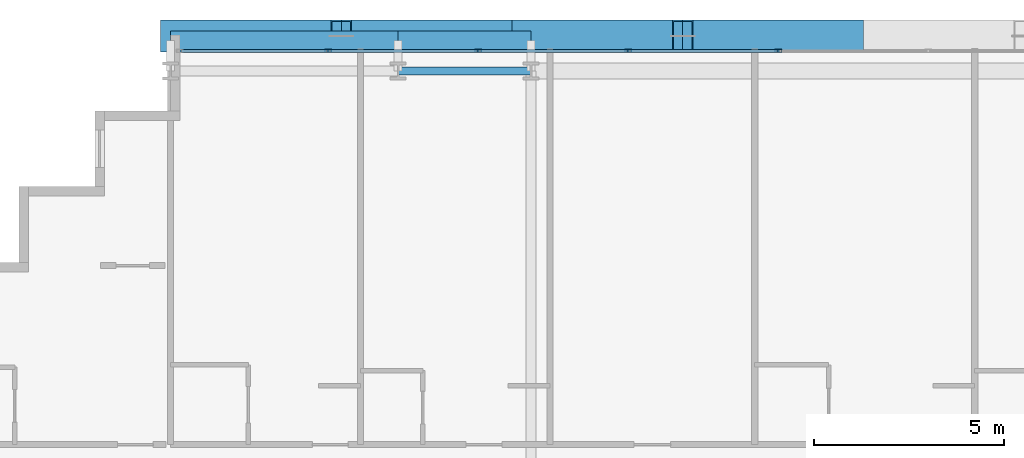
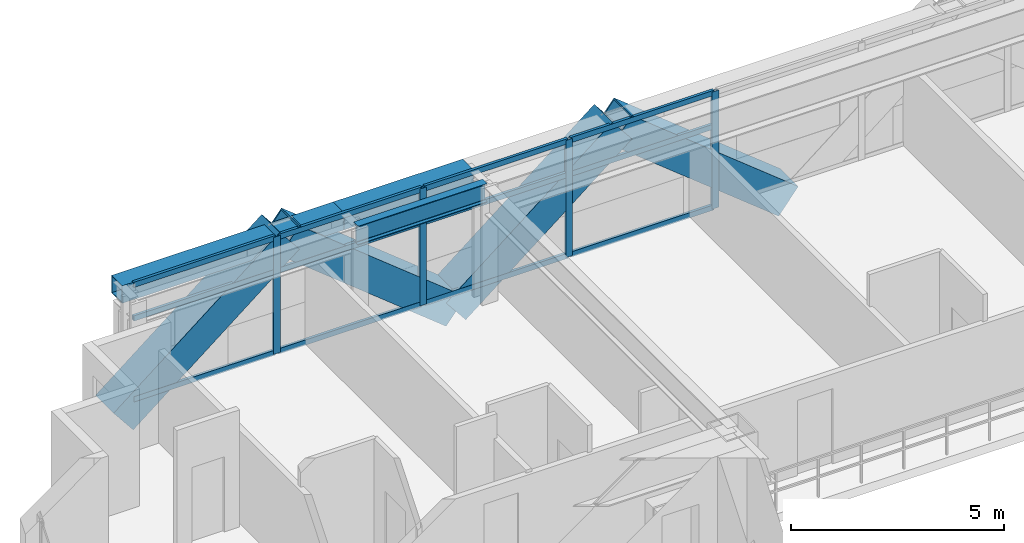
# One storey, part 18 of 35: 20 members, 3 beams, 1 element without a shape of its own.
"""IFC4 building model written with IfcOpenShell, lengths in metres."""

from ifc_helpers import new_model, si_unit, direction, frame, origin, origin_2d, place, context, subcontext, project, spatial, hollow_rectangle, i_section, extrude, source, transform, mapped, material, layer, layer_set, material_profile, profile_set, type_object, element, aggregate, save


model = new_model("IFC4")

# Units and contexts
model_context = context("Model", 3, precision=1e-05, world=origin(), true_north=direction((0.0, 1.0)))
body_context = subcontext(model_context, "Body", "Model", "MODEL_VIEW")
ifc_project = project(units=[si_unit("LENGTHUNIT", "METRE"), si_unit("AREAUNIT", "SQUARE_METRE"), si_unit("VOLUMEUNIT", "CUBIC_METRE"), si_unit("PLANEANGLEUNIT", "RADIAN"), si_unit("MASSUNIT", "GRAM", prefix="KILO")], contexts=[model_context])

# Site, building, storey
site_placement = place(None, origin())
site = spatial("IfcSite", under=ifc_project, at=site_placement, CompositionType="ELEMENT")
building_placement = place(site_placement, origin())
building = spatial("IfcBuilding", under=site, at=building_placement, Name="Ocotamira Hotel", CompositionType="ELEMENT")
storey_placement = place(building_placement, frame((0.0, 0.0, 70.800048828125)))
storey = spatial("IfcBuildingStorey", under=building, at=storey_placement, Name="L17", CompositionType="ELEMENT", Elevation=70.800048828125)

# Beams
ifc_material_1 = material(Name="Steel ASTM A992 Grade 50", Category="steel")
ifc_material_profile_1 = material_profile(ifc_material_1, i_section(OverallWidth=0.2099609375, OverallDepth=0.537109375, WebThickness=0.010986328125, FlangeThickness=0.017333984375, FilletRadius=0.012939453125, at=origin_2d()), Name="W21X68")
ifc_profile_set_1 = profile_set([ifc_material_profile_1], Name="Steel ASTM A992 Grade 50")
beam_type_1 = type_object("IfcBeamType", Name="BM-SEC-W21X68", PredefinedType="JOIST", material=ifc_profile_set_1)
shared_shape_1 = source(origin(), body_context, "Body", "SweptSolid", [
    extrude(i_section(OverallWidth=0.2099609375, OverallDepth=0.537109375, WebThickness=0.010986328125, FlangeThickness=0.017333984375, FilletRadius=0.012939453125, at=origin_2d()), origin(), (0.0, 0.0, 1.0), 3.5),
])
beam_1_placement = place(storey_placement, frame((20.0, 49.050048828125, 3.08154296875), z_axis=(1.0, 0.0, 0.0), x_axis=(0.0, 1.0, 0.0)))
element("IfcBeam", 1, at=beam_1_placement, inside=storey, type_object=beam_type_1, Name="L17 Girder Y49.05 X20-23.5", PredefinedType="JOIST", context=body_context, shape_type="MappedRepresentation", body=[
    mapped(shared_shape_1, transform((0.0, 0.0, 0.0), scale=1.0)),
])
ifc_material_2 = material(Name="Steel ASTM A500 Grade C", Category="steel")
ifc_material_profile_2 = material_profile(ifc_material_2, hollow_rectangle(XDim=0.5, YDim=0.5, WallThickness=0.02001953125, at=origin_2d()), Name="HSS500X500X20")
ifc_profile_set_2 = profile_set([ifc_material_profile_2], Name="Steel ASTM A500 Grade C")
beam_type_2 = type_object("IfcBeamType", Name="BM-SPAN-HSS500", PredefinedType="USERDEFINED", material=ifc_profile_set_2)
shared_shape_2 = source(origin(), body_context, "Body", "SweptSolid", [
    extrude(hollow_rectangle(XDim=0.5, YDim=0.5, WallThickness=0.02001953125, at=origin_2d()), origin(), (0.0, 0.0, 1.0), 6.0),
])
beam_2_placement = place(storey_placement, frame((14.0, 49.85009765625, 3.099853515625), z_axis=(1.0, 0.0, 0.0), x_axis=(0.0, 1.0, 0.0)))
element("IfcBeam", 2, at=beam_2_placement, inside=storey, type_object=beam_type_2, Name="L17 Edge Spandrel N X14-20", ObjectType="SPANDREL", PredefinedType="USERDEFINED", context=body_context, shape_type="MappedRepresentation", body=[
    mapped(shared_shape_2, transform((0.0, 0.0, 0.0), scale=1.0)),
])
shared_shape_3 = source(origin(), body_context, "Body", "SweptSolid", [
    extrude(hollow_rectangle(XDim=0.5, YDim=0.5, WallThickness=0.02001953125, at=origin_2d()), origin(), (0.0, 0.0, 1.0), 3.5),
])
beam_3_placement = place(storey_placement, frame((20.0, 49.85009765625, 3.099853515625), z_axis=(1.0, 0.0, 0.0), x_axis=(0.0, 1.0, 0.0)))
element("IfcBeam", 3, at=beam_3_placement, inside=storey, type_object=beam_type_2, Name="L17 Edge Spandrel N X20-23.5", ObjectType="SPANDREL", PredefinedType="USERDEFINED", context=body_context, shape_type="MappedRepresentation", body=[
    mapped(shared_shape_3, transform((0.0, 0.0, 0.0), scale=1.0)),
])

# Members
ifc_material_3 = material(Name="Pale-metal coated steel ASTM A913 Grade 65", Category="steel")
ifc_material_profile_3 = material_profile(ifc_material_3, hollow_rectangle(XDim=0.85009765625, YDim=0.85009765625, WallThickness=0.035888671875, at=origin_2d()), Name="BOX850X850X36")
ifc_profile_set_3 = profile_set([ifc_material_profile_3], Name="Pale-metal coated steel ASTM A913 Grade 65")
member_type_1 = type_object("IfcMemberType", Name="MEM-EXO-BOX850", PredefinedType="BRACE", material=ifc_profile_set_3)
shared_shape_4 = source(origin(), body_context, "Body", "SweptSolid", [
    extrude(hollow_rectangle(XDim=0.85009765625, YDim=0.85009765625, WallThickness=0.035888671875, at=origin_2d()), origin(), (0.0, 0.0, 1.0), 5.7626953125),
])
for number, where, z_axis, x_axis, name in (
    (4, (14.0, 49.969970703125, -0.5), (0.780881208953, 0.0, 0.624679547852), (0.0, 1.0, 0.0), "L17 Exoskeleton Diagrid N0.1"),
    (5, (23.0, 49.969970703125, -0.5), (-0.780881208953, 0.0, 0.624679547852), (0.0, -1.0, 0.0), "L17 Exoskeleton Diagrid N0.2"),
    (6, (23.0, 49.969970703125, -0.5), (0.780881208953, 0.0, 0.624679547852), (0.0, 1.0, 0.0), "L17 Exoskeleton Diagrid N1.1"),
    (7, (32.0, 49.969970703125, -0.5), (-0.780881208953, 0.0, 0.624679547852), (0.0, -1.0, 0.0), "L17 Exoskeleton Diagrid N1.2"),
):
    element("IfcMember", number, at=place(storey_placement, frame(where, z_axis=z_axis, x_axis=x_axis)), inside=storey, type_object=member_type_1, Name=name, PredefinedType="BRACE", context=body_context, shape_type="MappedRepresentation", body=[
        mapped(shared_shape_4, transform((0.0, 0.0, 0.0), scale=1.0)),
    ])

# Curtain wall, members
ifc_material_4 = material(Name="Anodised pale-metal aluminium and solar glass", Category="aluminium")
ifc_layer = layer(ifc_material_4, 0.179931640625)
ifc_layer_set = layer_set([ifc_layer], Name="Anodised pale-metal aluminium and solar glass")
curtain_wall_type = type_object("IfcCurtainWallType", Name="CW-SYS2-Z1", PredefinedType="NOTDEFINED", material=ifc_layer_set)
curtain_wall_placement = place(storey_placement, origin())
curtain_wall = element("IfcCurtainWall", 8, at=curtain_wall_placement, inside=storey, type_object=curtain_wall_type, Name="L17 Curtain Wall CW-2 CW-L17-N", PredefinedType="NOTDEFINED")
ifc_material_5 = material(Name="Anodised pale-metal aluminium 6063-T6", Category="aluminium")
ifc_material_profile_4 = material_profile(ifc_material_5, hollow_rectangle(XDim=0.080078125, YDim=0.179931640625, WallThickness=0.006103515625, at=origin_2d()), Name="HSS180X80X6")
ifc_profile_set_4 = profile_set([ifc_material_profile_4], Name="Anodised pale-metal aluminium 6063-T6")
member_type_2 = type_object("IfcMemberType", Name="CWM-180X75", PredefinedType="MULLION", material=ifc_profile_set_4)
shared_shape_5 = source(origin(), body_context, "Body", "SweptSolid", [
    extrude(hollow_rectangle(XDim=0.080078125, YDim=0.179931640625, WallThickness=0.006103515625, at=origin_2d()), origin(), (0.0, 0.0, 1.0), 3.349853515625),
])
member_1_placement = place(storey_placement, frame((18.155517578125, 49.580078125, 0.0), z_axis=(0.0, 0.0, 1.0), x_axis=(0.0, 1.0, 0.0)))
member_1 = element("IfcMember", 9, at=member_1_placement, type_object=member_type_2, Name="CW-2 mullion 2", PredefinedType="MULLION", context=body_context, shape_type="MappedRepresentation", body=[
    mapped(shared_shape_5, transform((0.0, 0.0, 0.0), scale=1.0)),
])
member_2_placement = place(storey_placement, frame((22.111083984375, 49.580078125, 0.0), z_axis=(0.0, 0.0, 1.0), x_axis=(0.0, 1.0, 0.0)))
member_2 = element("IfcMember", 10, at=member_2_placement, type_object=member_type_2, Name="CW-2 mullion 3", PredefinedType="MULLION", context=body_context, shape_type="MappedRepresentation", body=[
    mapped(shared_shape_5, transform((0.0, 0.0, 0.0), scale=1.0)),
])
member_3_placement = place(storey_placement, frame((26.066650390625, 49.580078125, 0.0), z_axis=(0.0, 0.0, 1.0), x_axis=(0.0, 1.0, 0.0)))
member_3 = element("IfcMember", 11, at=member_3_placement, type_object=member_type_2, Name="CW-2 mullion 4", PredefinedType="MULLION", context=body_context, shape_type="MappedRepresentation", body=[
    mapped(shared_shape_5, transform((0.0, 0.0, 0.0), scale=1.0)),
])
member_4_placement = place(storey_placement, frame((30.022216796875, 49.580078125, 0.0), z_axis=(0.0, 0.0, 1.0), x_axis=(0.0, 1.0, 0.0)))
member_4 = element("IfcMember", 12, at=member_4_placement, type_object=member_type_2, Name="CW-2 mullion 5", PredefinedType="MULLION", context=body_context, shape_type="MappedRepresentation", body=[
    mapped(shared_shape_5, transform((0.0, 0.0, 0.0), scale=1.0)),
])
ifc_material_profile_5 = material_profile(ifc_material_5, hollow_rectangle(XDim=0.074951171875, YDim=0.14990234375, WallThickness=0.006103515625, at=origin_2d()), Name="HSS150X75X6")
ifc_profile_set_5 = profile_set([ifc_material_profile_5], Name="Anodised pale-metal aluminium 6063-T6")
member_type_3 = type_object("IfcMemberType", Name="CWT-150X75", PredefinedType="USERDEFINED", material=ifc_profile_set_5)
shared_shape_6 = source(origin(), body_context, "Body", "SweptSolid", [
    extrude(hollow_rectangle(XDim=0.074951171875, YDim=0.14990234375, WallThickness=0.006103515625, at=origin_2d()), origin(), (0.0, 0.0, 1.0), 3.83544921875),
])
member_5_placement = place(storey_placement, frame((14.280029296875, 49.580078125, 0.037353515625), z_axis=(1.0, 0.0, 0.0), x_axis=(0.0, 1.0, 0.0)))
member_5 = element("IfcMember", 13, at=member_5_placement, type_object=member_type_3, Name="CW-2 transom 1.1", ObjectType="TRANSOM", PredefinedType="USERDEFINED", context=body_context, shape_type="MappedRepresentation", body=[
    mapped(shared_shape_6, transform((0.0, 0.0, 0.0), scale=1.0)),
])
member_6_placement = place(storey_placement, frame((14.280029296875, 49.580078125, 2.349853515625), z_axis=(1.0, 0.0, 0.0), x_axis=(0.0, 1.0, 0.0)))
member_6 = element("IfcMember", 14, at=member_6_placement, type_object=member_type_3, Name="CW-2 transom 1.2", ObjectType="TRANSOM", PredefinedType="USERDEFINED", context=body_context, shape_type="MappedRepresentation", body=[
    mapped(shared_shape_6, transform((0.0, 0.0, 0.0), scale=1.0)),
])
member_7_placement = place(storey_placement, frame((14.280029296875, 49.580078125, 3.3125), z_axis=(1.0, 0.0, 0.0), x_axis=(0.0, 1.0, 0.0)))
member_7 = element("IfcMember", 15, at=member_7_placement, type_object=member_type_3, Name="CW-2 transom 1.3", ObjectType="TRANSOM", PredefinedType="USERDEFINED", context=body_context, shape_type="MappedRepresentation", body=[
    mapped(shared_shape_6, transform((0.0, 0.0, 0.0), scale=1.0)),
])
shared_shape_7 = source(origin(), body_context, "Body", "SweptSolid", [
    extrude(hollow_rectangle(XDim=0.074951171875, YDim=0.14990234375, WallThickness=0.006103515625, at=origin_2d()), origin(), (0.0, 0.0, 1.0), 3.87548828125),
])
member_8_placement = place(storey_placement, frame((18.195556640625, 49.580078125, 0.037353515625), z_axis=(1.0, 0.0, 0.0), x_axis=(0.0, 1.0, 0.0)))
member_8 = element("IfcMember", 16, at=member_8_placement, type_object=member_type_3, Name="CW-2 transom 2.1", ObjectType="TRANSOM", PredefinedType="USERDEFINED", context=body_context, shape_type="MappedRepresentation", body=[
    mapped(shared_shape_7, transform((0.0, 0.0, 0.0), scale=1.0)),
])
member_9_placement = place(storey_placement, frame((18.195556640625, 49.580078125, 2.349853515625), z_axis=(1.0, 0.0, 0.0), x_axis=(0.0, 1.0, 0.0)))
member_9 = element("IfcMember", 17, at=member_9_placement, type_object=member_type_3, Name="CW-2 transom 2.2", ObjectType="TRANSOM", PredefinedType="USERDEFINED", context=body_context, shape_type="MappedRepresentation", body=[
    mapped(shared_shape_7, transform((0.0, 0.0, 0.0), scale=1.0)),
])
member_10_placement = place(storey_placement, frame((18.195556640625, 49.580078125, 3.3125), z_axis=(1.0, 0.0, 0.0), x_axis=(0.0, 1.0, 0.0)))
member_10 = element("IfcMember", 18, at=member_10_placement, type_object=member_type_3, Name="CW-2 transom 2.3", ObjectType="TRANSOM", PredefinedType="USERDEFINED", context=body_context, shape_type="MappedRepresentation", body=[
    mapped(shared_shape_7, transform((0.0, 0.0, 0.0), scale=1.0)),
])
member_11_placement = place(storey_placement, frame((22.151123046875, 49.580078125, 0.037353515625), z_axis=(1.0, 0.0, 0.0), x_axis=(0.0, 1.0, 0.0)))
member_11 = element("IfcMember", 19, at=member_11_placement, type_object=member_type_3, Name="CW-2 transom 3.1", ObjectType="TRANSOM", PredefinedType="USERDEFINED", context=body_context, shape_type="MappedRepresentation", body=[
    mapped(shared_shape_7, transform((0.0, 0.0, 0.0), scale=1.0)),
])
member_12_placement = place(storey_placement, frame((22.151123046875, 49.580078125, 2.349853515625), z_axis=(1.0, 0.0, 0.0), x_axis=(0.0, 1.0, 0.0)))
member_12 = element("IfcMember", 20, at=member_12_placement, type_object=member_type_3, Name="CW-2 transom 3.2", ObjectType="TRANSOM", PredefinedType="USERDEFINED", context=body_context, shape_type="MappedRepresentation", body=[
    mapped(shared_shape_7, transform((0.0, 0.0, 0.0), scale=1.0)),
])
member_13_placement = place(storey_placement, frame((22.151123046875, 49.580078125, 3.3125), z_axis=(1.0, 0.0, 0.0), x_axis=(0.0, 1.0, 0.0)))
member_13 = element("IfcMember", 21, at=member_13_placement, type_object=member_type_3, Name="CW-2 transom 3.3", ObjectType="TRANSOM", PredefinedType="USERDEFINED", context=body_context, shape_type="MappedRepresentation", body=[
    mapped(shared_shape_7, transform((0.0, 0.0, 0.0), scale=1.0)),
])
member_14_placement = place(storey_placement, frame((26.106689453125, 49.580078125, 0.037353515625), z_axis=(1.0, 0.0, 0.0), x_axis=(0.0, 1.0, 0.0)))
member_14 = element("IfcMember", 22, at=member_14_placement, type_object=member_type_3, Name="CW-2 transom 4.1", ObjectType="TRANSOM", PredefinedType="USERDEFINED", context=body_context, shape_type="MappedRepresentation", body=[
    mapped(shared_shape_7, transform((0.0, 0.0, 0.0), scale=1.0)),
])
member_15_placement = place(storey_placement, frame((26.106689453125, 49.580078125, 2.349853515625), z_axis=(1.0, 0.0, 0.0), x_axis=(0.0, 1.0, 0.0)))
member_15 = element("IfcMember", 23, at=member_15_placement, type_object=member_type_3, Name="CW-2 transom 4.2", ObjectType="TRANSOM", PredefinedType="USERDEFINED", context=body_context, shape_type="MappedRepresentation", body=[
    mapped(shared_shape_7, transform((0.0, 0.0, 0.0), scale=1.0)),
])
member_16_placement = place(storey_placement, frame((26.106689453125, 49.580078125, 3.3125), z_axis=(1.0, 0.0, 0.0), x_axis=(0.0, 1.0, 0.0)))
member_16 = element("IfcMember", 24, at=member_16_placement, type_object=member_type_3, Name="CW-2 transom 4.3", ObjectType="TRANSOM", PredefinedType="USERDEFINED", context=body_context, shape_type="MappedRepresentation", body=[
    mapped(shared_shape_7, transform((0.0, 0.0, 0.0), scale=1.0)),
])
aggregate(curtain_wall, [member_1, member_2, member_3, member_4, member_5, member_6, member_7, member_8, member_9, member_10, member_11, member_12, member_13, member_14, member_15, member_16])

save(model, "model.ifc")
